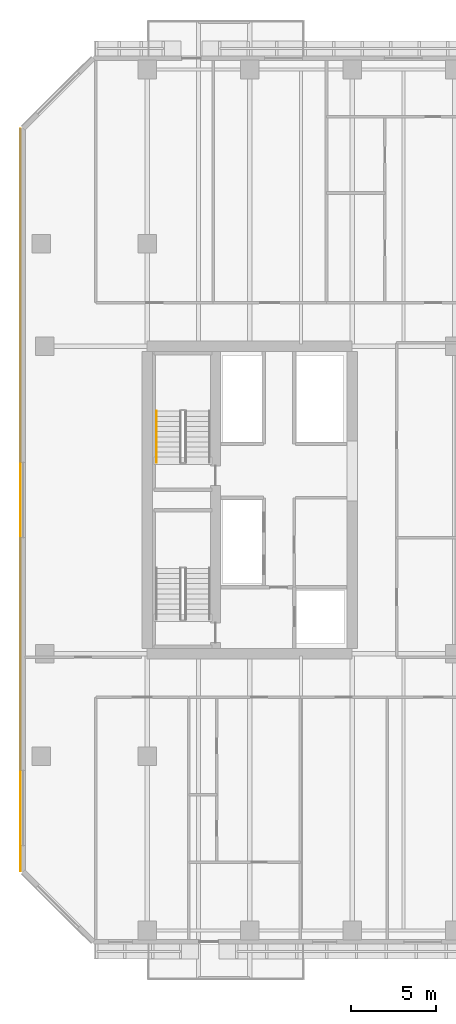
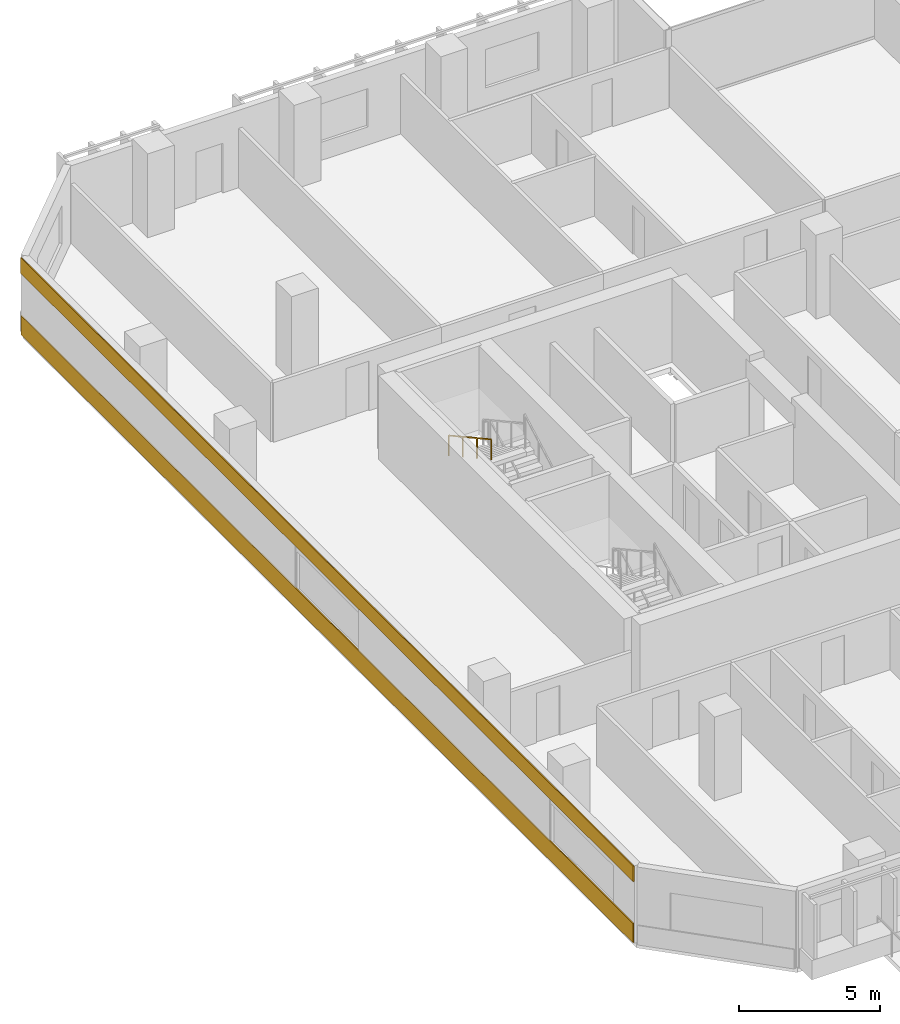
# One storey, part 18 of 25: 2 coverings, 1 railing.
"""IFC4 building model written with IfcOpenShell, lengths in metres."""

from ifc_helpers import new_model, si_unit, direction, frame, origin, origin_2d, place, context, subcontext, project, spatial, rectangle, extrude, material, layer, layer_set, type_object, element, save


model = new_model("IFC4")

# Units and contexts
model_context = context("Model", 3, precision=1e-05, world=origin(), true_north=direction((0.0, 1.0)))
body_context = subcontext(model_context, "Body", "Model", "MODEL_VIEW")
ifc_project = project(units=[si_unit("LENGTHUNIT", "METRE"), si_unit("AREAUNIT", "SQUARE_METRE"), si_unit("VOLUMEUNIT", "CUBIC_METRE"), si_unit("PLANEANGLEUNIT", "RADIAN"), si_unit("MASSUNIT", "GRAM", prefix="KILO")], contexts=[model_context])

# Site, building, storey
site_placement = place(None, origin())
site = spatial("IfcSite", under=ifc_project, at=site_placement, CompositionType="ELEMENT")
building_placement = place(site_placement, origin())
building = spatial("IfcBuilding", under=site, at=building_placement, Name="Tanjung Sevakor Pilgrim Tower", CompositionType="ELEMENT")
storey_placement = place(building_placement, frame((0.0, 0.0, 69.6298828125)))
storey = spatial("IfcBuildingStorey", under=building, at=storey_placement, Name="L19", CompositionType="ELEMENT", Elevation=69.6298828125)

# Coverings
ifc_material_1 = material(Name="Reconstructed Limestone Cladding", Category="masonry")
ifc_layer = layer(ifc_material_1, 0.044921875)
ifc_layer_set = layer_set([ifc_layer], Name="COV-CLAD-LIMESTONE")
covering_type = type_object("IfcCoveringType", Name="COV-CLAD-LIMESTONE", PredefinedType="CLADDING", material=ifc_layer_set)
covering_1_placement = place(storey_placement, frame((16.577392578125, 33.60009765625, 0.01025390625), z_axis=(0.0, 0.0, 1.0), x_axis=(0.0, -1.0, 0.0)))
element("IfcCovering", 1, at=covering_1_placement, inside=storey, type_object=covering_type, Name="L19 Warm Limestone Sill Spandrel EW-L19-MAIN-15-1", PredefinedType="CLADDING", context=body_context, shape_type="SweptSolid", body=[
    extrude(rectangle(XDim=43.404052734375, YDim=0.044921875, at=origin_2d()), origin(), (0.0, 0.0, 1.0), 0.840087890625),
])
covering_2_placement = place(storey_placement, frame((16.577392578125, 33.60009765625, 2.66015625), z_axis=(0.0, 0.0, 1.0), x_axis=(0.0, -1.0, 0.0)))
element("IfcCovering", 2, at=covering_2_placement, inside=storey, type_object=covering_type, Name="L19 Warm Limestone Cornice Spandrel EW-L19-MAIN-15", PredefinedType="CLADDING", context=body_context, shape_type="SweptSolid", body=[
    extrude(rectangle(XDim=43.444091796875, YDim=0.044921875, at=origin_2d()), origin(), (0.0, 0.0, 1.0), 0.679931640625),
])

# Railing
ifc_material_2 = material(Name="Steel S355J2", Category="steel")
railing_type = type_object("IfcRailingType", Name="RL-STAIR-HAND", PredefinedType="HANDRAIL", material=ifc_material_2)
railing_placement = place(storey_placement, frame((24.550048828125, 38.800048828125, 1.980224609375)))
element("IfcRailing", 3, at=railing_placement, inside=storey, type_object=railing_type, Name="L19 TS-W2 stair handrail 2", PredefinedType="HANDRAIL", context=body_context, shape_type="SweptSolid", body=[
    extrude(rectangle(XDim=0.0479, YDim=0.0479), frame((0.0, 0.0, 0.8759765625), z_axis=(0.0, -0.876227952683, 0.48189685093), x_axis=(1.0, 0.0, 0.0)), (0.0, 0.0, 1.0), 3.423828125),
    extrude(rectangle(XDim=0.042, YDim=0.042), origin(), (0.0, 0.0, 1.0), 0.851806640625),
    extrude(rectangle(XDim=0.042, YDim=0.042), frame((0.0, -1.0, 0.550048828125)), (0.0, 0.0, 1.0), 0.851806640625),
    extrude(rectangle(XDim=0.042, YDim=0.042), frame((0.0, -2.0, 1.099853515625)), (0.0, 0.0, 1.0), 0.851806640625),
    extrude(rectangle(XDim=0.042, YDim=0.042), frame((0.0, -3.0, 1.64990234375)), (0.0, 0.0, 1.0), 0.851806640625),
])

save(model, "model.ifc")
